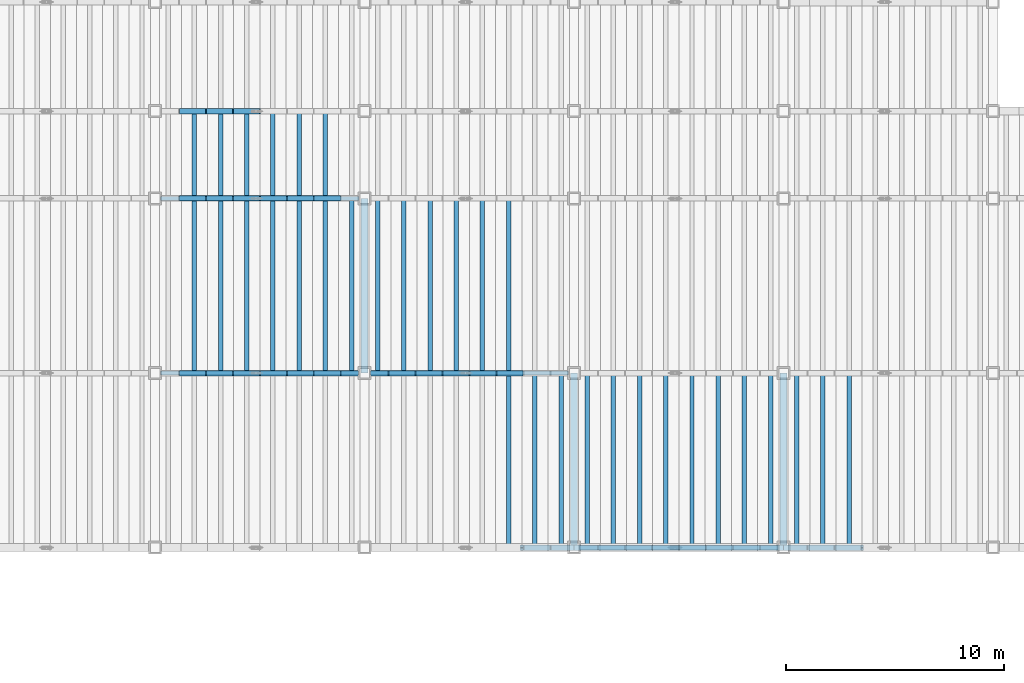
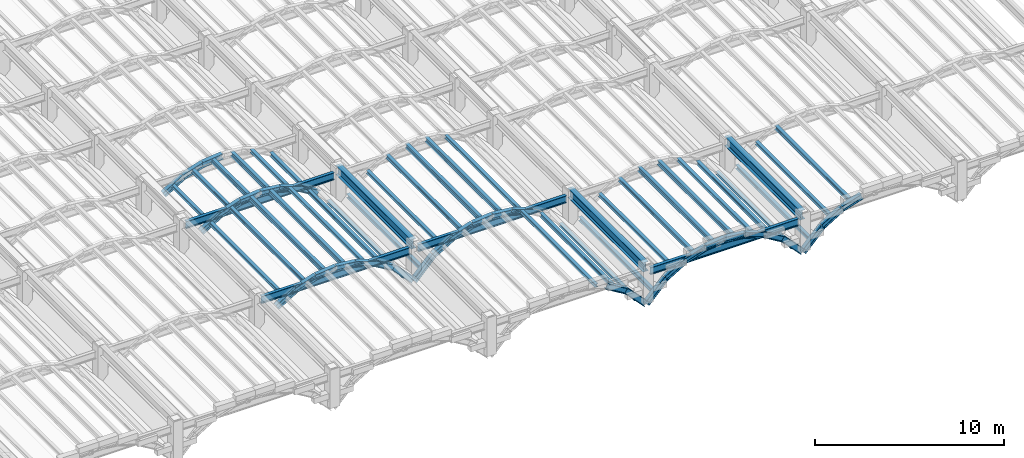
# One storey, part 23 of 70: 68 members, 7 beams.
"""IFC4 building model written with IfcOpenShell, lengths in metres."""

from ifc_helpers import new_model, si_unit, direction, frame, origin, origin_2d, place, context, subcontext, project, spatial, i_section, extrude, material, material_profile, profile_set, type_object, element, save


model = new_model("IFC4")

# Units and contexts
model_context = context("Model", 3, precision=1e-05, world=origin(), true_north=direction((0.0, 1.0)))
body_context = subcontext(model_context, "Body", "Model", "MODEL_VIEW")
ifc_project = project(units=[si_unit("LENGTHUNIT", "METRE"), si_unit("AREAUNIT", "SQUARE_METRE"), si_unit("VOLUMEUNIT", "CUBIC_METRE"), si_unit("PLANEANGLEUNIT", "RADIAN"), si_unit("MASSUNIT", "GRAM", prefix="KILO")], contexts=[model_context])

# Site, building, storey
site_placement = place(None, origin())
site = spatial("IfcSite", under=ifc_project, at=site_placement, CompositionType="ELEMENT")
building_placement = place(site_placement, origin())
building = spatial("IfcBuilding", under=site, at=building_placement, Name="Mavantir Sound Aquarium", CompositionType="ELEMENT")
storey_placement = place(building_placement, frame((0.0, 0.0, 27.0)))
storey = spatial("IfcBuildingStorey", under=building, at=storey_placement, Name="RF", CompositionType="ELEMENT", Elevation=27.0)

# Beams
ifc_material = material(Name="Structural Steel ASTM A992 Gr50", Category="steel")
ifc_material_profile_1 = material_profile(ifc_material, i_section(OverallWidth=0.194091796875, OverallDepth=0.468994140625, WebThickness=0.0126953125, FlangeThickness=0.0205078125, FilletRadius=0.01611328125, at=origin_2d()), Name="W460X106")
ifc_profile_set_1 = profile_set([ifc_material_profile_1], Name="Structural Steel ASTM A992 Gr50")
beam_type_1 = type_object("IfcBeamType", Name="BM-W460X106-I", PredefinedType="BEAM", material=ifc_profile_set_1)
for number, where, z_axis, x_axis, name in (
    (1, (127.449951171875, 48.800048828125, -5.327392578125), (1.0, 0.0, 0.0), (0.0, 1.0, 0.0), "Scalloped bay 3 transverse tie girder 201"),
    (2, (127.449951171875, 56.800048828125, -5.327392578125), (1.0, 0.0, 0.0), (0.0, 1.0, 0.0), "Scalloped bay 3 transverse tie girder 211"),
):
    element("IfcBeam", number, at=place(storey_placement, frame(where, z_axis=z_axis, x_axis=x_axis)), inside=storey, type_object=beam_type_1, Name=name, PredefinedType="BEAM", context=body_context, shape_type="SweptSolid", body=[
        extrude(i_section(OverallWidth=0.194091796875, OverallDepth=0.468994140625, WebThickness=0.0126953125, FlangeThickness=0.0205078125, FilletRadius=0.01611328125, at=origin_2d()), origin(), (0.0, 0.0, 1.0), 9.10009765625),
    ])
beam_1_placement = place(storey_placement, frame((137.050048828125, 48.800048828125, -5.327392578125), z_axis=(1.0, 0.0, 0.0), x_axis=(0.0, 1.0, 0.0)))
element("IfcBeam", 3, at=beam_1_placement, inside=storey, type_object=beam_type_1, Name="Scalloped bay 4 transverse tie girder 281", PredefinedType="BEAM", context=body_context, shape_type="SweptSolid", body=[
    extrude(i_section(OverallWidth=0.194091796875, OverallDepth=0.468994140625, WebThickness=0.0126953125, FlangeThickness=0.0205078125, FilletRadius=0.01611328125, at=origin_2d()), origin(), (0.0, 0.0, 1.0), 9.099853515625),
])
beam_2_placement = place(storey_placement, frame((146.64990234375, 40.800048828125, -5.327392578125), z_axis=(1.0, 0.0, 0.0), x_axis=(0.0, 1.0, 0.0)))
element("IfcBeam", 4, at=beam_2_placement, inside=storey, type_object=beam_type_1, Name="Scalloped bay 5 transverse tie girder 341", PredefinedType="BEAM", context=body_context, shape_type="SweptSolid", body=[
    extrude(i_section(OverallWidth=0.194091796875, OverallDepth=0.468994140625, WebThickness=0.0126953125, FlangeThickness=0.0205078125, FilletRadius=0.01611328125, at=origin_2d()), origin(), (0.0, 0.0, 1.0), 9.10009765625),
])
ifc_material_profile_2 = material_profile(ifc_material, i_section(OverallWidth=0.323974609375, OverallDepth=0.611083984375, WebThickness=0.0126953125, FlangeThickness=0.01904296875, FilletRadius=0.01904296875, at=origin_2d()), Name="W610X155")
ifc_profile_set_2 = profile_set([ifc_material_profile_2], Name="Structural Steel ASTM A992 Gr50")
beam_type_2 = type_object("IfcBeamType", Name="BM-W610X155-E", PredefinedType="BEAM", material=ifc_profile_set_2)
for number, where, z_axis, x_axis, name in (
    (5, (136.800048828125, 48.800048828125, -5.0048828125), (0.0, 1.0, 0.0), (-1.0, 0.0, 0.0), "Scalloped roof straight ridge beam 28"),
    (6, (146.39990234375, 40.800048828125, -5.0048828125), (0.0, 1.0, 0.0), (-1.0, 0.0, 0.0), "Scalloped roof straight ridge beam 34"),
    (7, (156.0, 40.800048828125, -5.0048828125), (0.0, 1.0, 0.0), (-1.0, 0.0, 0.0), "Scalloped roof straight ridge beam 40"),
):
    element("IfcBeam", number, at=place(storey_placement, frame(where, z_axis=z_axis, x_axis=x_axis)), inside=storey, type_object=beam_type_2, Name=name, PredefinedType="BEAM", context=body_context, shape_type="SweptSolid", body=[
        extrude(i_section(OverallWidth=0.323974609375, OverallDepth=0.611083984375, WebThickness=0.0126953125, FlangeThickness=0.01904296875, FilletRadius=0.01904296875, at=origin_2d()), origin(), (0.0, 0.0, 1.0), 8.0),
    ])

# Members
ifc_material_profile_3 = material_profile(ifc_material, i_section(OverallWidth=0.202880859375, OverallDepth=0.202880859375, WebThickness=0.007080078125, FlangeThickness=0.010986328125, FilletRadius=0.010009765625, at=origin_2d()), Name="W200X46")
ifc_profile_set_3 = profile_set([ifc_material_profile_3], Name="Structural Steel ASTM A992 Gr50")
member_type_1 = type_object("IfcMemberType", Name="MEM-TR-W200", PredefinedType="PURLIN", material=ifc_profile_set_3)
for number, where, z_axis, x_axis, name in (
    (8, (129.0, 48.800048828125, -5.77978515625), (0.0, 1.0, 0.0), (-1.0, 0.0, 0.0), "Scalloped bay 3 roof purlin 146"),
    (9, (133.800048828125, 48.800048828125, -5.169921875), (0.0, 1.0, 0.0), (-1.0, 0.0, 0.0), "Scalloped bay 3 roof purlin 150"),
    (10, (136.199951171875, 48.800048828125, -6.881103515625), (0.0, 1.0, 0.0), (-1.0, 0.0, 0.0), "Scalloped bay 3 roof purlin 152"),
):
    element("IfcMember", number, at=place(storey_placement, frame(where, z_axis=z_axis, x_axis=x_axis)), inside=storey, type_object=member_type_1, Name=name, PredefinedType="PURLIN", context=body_context, shape_type="SweptSolid", body=[
        extrude(i_section(OverallWidth=0.202880859375, OverallDepth=0.202880859375, WebThickness=0.007080078125, FlangeThickness=0.010986328125, FilletRadius=0.010009765625, at=origin_2d()), origin(), (0.0, 0.0, 1.0), 8.0),
    ])
for number, where, z_axis, x_axis, name in (
    (11, (129.0, 56.800048828125, -5.77978515625), (0.0, 1.0, 0.0), (-1.0, 0.0, 0.0), "Scalloped bay 3 roof purlin 154"),
    (12, (133.800048828125, 56.800048828125, -5.169921875), (0.0, 1.0, 0.0), (-1.0, 0.0, 0.0), "Scalloped bay 3 roof purlin 158"),
):
    element("IfcMember", number, at=place(storey_placement, frame(where, z_axis=z_axis, x_axis=x_axis)), inside=storey, type_object=member_type_1, Name=name, PredefinedType="PURLIN", context=body_context, shape_type="SweptSolid", body=[
        extrude(i_section(OverallWidth=0.202880859375, OverallDepth=0.202880859375, WebThickness=0.007080078125, FlangeThickness=0.010986328125, FilletRadius=0.010009765625, at=origin_2d()), origin(), (0.0, 0.0, 1.0), 4.0),
    ])
for number, where, z_axis, x_axis, name in (
    (13, (143.39990234375, 40.800048828125, -5.169921875), (0.0, 1.0, 0.0), (-1.0, 0.0, 0.0), "Scalloped bay 4 roof purlin 198"),
    (14, (145.800048828125, 40.800048828125, -6.881103515625), (0.0, 1.0, 0.0), (-1.0, 0.0, 0.0), "Scalloped bay 4 roof purlin 200"),
    (15, (138.60009765625, 48.800048828125, -5.77978515625), (0.0, 1.0, 0.0), (-1.0, 0.0, 0.0), "Scalloped bay 4 roof purlin 202"),
    (16, (143.39990234375, 48.800048828125, -5.169921875), (0.0, 1.0, 0.0), (-1.0, 0.0, 0.0), "Scalloped bay 4 roof purlin 206"),
    (17, (148.199951171875, 40.800048828125, -5.77978515625), (0.0, 1.0, 0.0), (-1.0, 0.0, 0.0), "Scalloped bay 5 roof purlin 242"),
    (18, (153.0, 40.800048828125, -5.169921875), (0.0, 1.0, 0.0), (-1.0, 0.0, 0.0), "Scalloped bay 5 roof purlin 246"),
    (19, (155.39990234375, 40.800048828125, -6.881103515625), (0.0, 1.0, 0.0), (-1.0, 0.0, 0.0), "Scalloped bay 5 roof purlin 248"),
    (20, (157.800048828125, 40.800048828125, -5.77978515625), (0.0, 1.0, 0.0), (-1.0, 0.0, 0.0), "Scalloped bay 6 roof purlin 282"),
):
    element("IfcMember", number, at=place(storey_placement, frame(where, z_axis=z_axis, x_axis=x_axis)), inside=storey, type_object=member_type_1, Name=name, PredefinedType="PURLIN", context=body_context, shape_type="SweptSolid", body=[
        extrude(i_section(OverallWidth=0.202880859375, OverallDepth=0.202880859375, WebThickness=0.007080078125, FlangeThickness=0.010986328125, FilletRadius=0.010009765625, at=origin_2d()), origin(), (0.0, 0.0, 1.0), 8.0),
    ])
ifc_material_profile_4 = material_profile(ifc_material, i_section(OverallWidth=0.202880859375, OverallDepth=0.251953125, WebThickness=0.008056640625, FlangeThickness=0.013427734375, FilletRadius=0.011962890625, at=origin_2d()), Name="W250X58")
ifc_profile_set_4 = profile_set([ifc_material_profile_4], Name="Structural Steel ASTM A992 Gr50")
member_type_2 = type_object("IfcMemberType", Name="MEM-TR-W250", PredefinedType="PURLIN", material=ifc_profile_set_4)
for number, where, z_axis, x_axis, name in (
    (21, (130.199951171875, 48.800048828125, -5.194580078125), (0.0, 1.0, 0.0), (-1.0, 0.0, 0.0), "Scalloped bay 3 roof purlin 147"),
    (22, (135.0, 48.800048828125, -5.804443359375), (0.0, 1.0, 0.0), (-1.0, 0.0, 0.0), "Scalloped bay 3 roof purlin 151"),
):
    element("IfcMember", number, at=place(storey_placement, frame(where, z_axis=z_axis, x_axis=x_axis)), inside=storey, type_object=member_type_2, Name=name, PredefinedType="PURLIN", context=body_context, shape_type="SweptSolid", body=[
        extrude(i_section(OverallWidth=0.202880859375, OverallDepth=0.251953125, WebThickness=0.008056640625, FlangeThickness=0.013427734375, FilletRadius=0.011962890625, at=origin_2d()), origin(), (0.0, 0.0, 1.0), 8.0),
    ])
for number, where, z_axis, x_axis, name in (
    (23, (130.199951171875, 56.800048828125, -5.194580078125), (0.0, 1.0, 0.0), (-1.0, 0.0, 0.0), "Scalloped bay 3 roof purlin 155"),
    (24, (135.0, 56.800048828125, -5.804443359375), (0.0, 1.0, 0.0), (-1.0, 0.0, 0.0), "Scalloped bay 3 roof purlin 159"),
):
    element("IfcMember", number, at=place(storey_placement, frame(where, z_axis=z_axis, x_axis=x_axis)), inside=storey, type_object=member_type_2, Name=name, PredefinedType="PURLIN", context=body_context, shape_type="SweptSolid", body=[
        extrude(i_section(OverallWidth=0.202880859375, OverallDepth=0.251953125, WebThickness=0.008056640625, FlangeThickness=0.013427734375, FilletRadius=0.011962890625, at=origin_2d()), origin(), (0.0, 0.0, 1.0), 4.0),
    ])
for number, where, z_axis, x_axis, name in (
    (25, (144.60009765625, 40.800048828125, -5.804443359375), (0.0, 1.0, 0.0), (-1.0, 0.0, 0.0), "Scalloped bay 4 roof purlin 199"),
    (26, (137.39990234375, 48.800048828125, -6.90576171875), (0.0, 1.0, 0.0), (-1.0, 0.0, 0.0), "Scalloped bay 4 roof purlin 201"),
    (27, (139.800048828125, 48.800048828125, -5.194580078125), (0.0, 1.0, 0.0), (-1.0, 0.0, 0.0), "Scalloped bay 4 roof purlin 203"),
    (28, (147.0, 40.800048828125, -6.90576171875), (0.0, 1.0, 0.0), (-1.0, 0.0, 0.0), "Scalloped bay 5 roof purlin 241"),
    (29, (149.39990234375, 40.800048828125, -5.194580078125), (0.0, 1.0, 0.0), (-1.0, 0.0, 0.0), "Scalloped bay 5 roof purlin 243"),
    (30, (154.199951171875, 40.800048828125, -5.804443359375), (0.0, 1.0, 0.0), (-1.0, 0.0, 0.0), "Scalloped bay 5 roof purlin 247"),
    (31, (156.60009765625, 40.800048828125, -6.90576171875), (0.0, 1.0, 0.0), (-1.0, 0.0, 0.0), "Scalloped bay 6 roof purlin 281"),
    (32, (159.0, 40.800048828125, -5.194580078125), (0.0, 1.0, 0.0), (-1.0, 0.0, 0.0), "Scalloped bay 6 roof purlin 283"),
):
    element("IfcMember", number, at=place(storey_placement, frame(where, z_axis=z_axis, x_axis=x_axis)), inside=storey, type_object=member_type_2, Name=name, PredefinedType="PURLIN", context=body_context, shape_type="SweptSolid", body=[
        extrude(i_section(OverallWidth=0.202880859375, OverallDepth=0.251953125, WebThickness=0.008056640625, FlangeThickness=0.013427734375, FilletRadius=0.011962890625, at=origin_2d()), origin(), (0.0, 0.0, 1.0), 8.0),
    ])
ifc_material_profile_5 = material_profile(ifc_material, i_section(OverallWidth=0.205078125, OverallDepth=0.31005859375, WebThickness=0.009521484375, FlangeThickness=0.016357421875, FilletRadius=0.012939453125, at=origin_2d()), Name="W310X74")
ifc_profile_set_5 = profile_set([ifc_material_profile_5], Name="Structural Steel ASTM A992 Gr50")
member_type_3 = type_object("IfcMemberType", Name="MEM-TR-W310", PredefinedType="RAFTER", material=ifc_profile_set_5)
for number, where, z_axis, x_axis, name in (
    (33, (131.39990234375, 48.800048828125, -4.933837890625), (0.0, 1.0, 0.0), (-1.0, 0.0, 0.0), "Scalloped bay 3 roof purlin 148"),
    (34, (132.60009765625, 48.800048828125, -4.933837890625), (0.0, 1.0, 0.0), (-1.0, 0.0, 0.0), "Scalloped bay 3 roof purlin 149"),
):
    element("IfcMember", number, at=place(storey_placement, frame(where, z_axis=z_axis, x_axis=x_axis)), inside=storey, type_object=member_type_3, Name=name, PredefinedType="RAFTER", context=body_context, shape_type="SweptSolid", body=[
        extrude(i_section(OverallWidth=0.205078125, OverallDepth=0.31005859375, WebThickness=0.009521484375, FlangeThickness=0.016357421875, FilletRadius=0.012939453125, at=origin_2d()), origin(), (0.0, 0.0, 1.0), 8.0),
    ])
for number, where, z_axis, x_axis, name in (
    (35, (131.39990234375, 56.800048828125, -4.933837890625), (0.0, 1.0, 0.0), (-1.0, 0.0, 0.0), "Scalloped bay 3 roof purlin 156"),
    (36, (132.60009765625, 56.800048828125, -4.933837890625), (0.0, 1.0, 0.0), (-1.0, 0.0, 0.0), "Scalloped bay 3 roof purlin 157"),
):
    element("IfcMember", number, at=place(storey_placement, frame(where, z_axis=z_axis, x_axis=x_axis)), inside=storey, type_object=member_type_3, Name=name, PredefinedType="RAFTER", context=body_context, shape_type="SweptSolid", body=[
        extrude(i_section(OverallWidth=0.205078125, OverallDepth=0.31005859375, WebThickness=0.009521484375, FlangeThickness=0.016357421875, FilletRadius=0.012939453125, at=origin_2d()), origin(), (0.0, 0.0, 1.0), 4.0),
    ])
for number, where, z_axis, x_axis, name in (
    (37, (141.0, 48.800048828125, -4.933837890625), (0.0, 1.0, 0.0), (-1.0, 0.0, 0.0), "Scalloped bay 4 roof purlin 204"),
    (38, (142.199951171875, 48.800048828125, -4.933837890625), (0.0, 1.0, 0.0), (-1.0, 0.0, 0.0), "Scalloped bay 4 roof purlin 205"),
    (39, (150.60009765625, 40.800048828125, -4.933837890625), (0.0, 1.0, 0.0), (-1.0, 0.0, 0.0), "Scalloped bay 5 roof purlin 244"),
    (40, (151.800048828125, 40.800048828125, -4.933837890625), (0.0, 1.0, 0.0), (-1.0, 0.0, 0.0), "Scalloped bay 5 roof purlin 245"),
):
    element("IfcMember", number, at=place(storey_placement, frame(where, z_axis=z_axis, x_axis=x_axis)), inside=storey, type_object=member_type_3, Name=name, PredefinedType="RAFTER", context=body_context, shape_type="SweptSolid", body=[
        extrude(i_section(OverallWidth=0.205078125, OverallDepth=0.31005859375, WebThickness=0.009521484375, FlangeThickness=0.016357421875, FilletRadius=0.012939453125, at=origin_2d()), origin(), (0.0, 0.0, 1.0), 8.0),
    ])
ifc_material_profile_6 = material_profile(ifc_material, i_section(OverallWidth=0.25390625, OverallDepth=0.35302734375, WebThickness=0.009521484375, FlangeThickness=0.016357421875, FilletRadius=0.014892578125, at=origin_2d()), Name="W360X91")
ifc_profile_set_6 = profile_set([ifc_material_profile_6], Name="Structural Steel ASTM A992 Gr50")
member_type_4 = type_object("IfcMemberType", Name="MEM-TR-W360", PredefinedType="RAFTER", material=ifc_profile_set_6)
member_1_placement = place(storey_placement, frame((128.39990234375, 48.800048828125, -6.11328125), z_axis=(0.856692316174, 0.0, 0.515827757501), x_axis=(0.0, 1.0, 0.0)))
element("IfcMember", 41, at=member_1_placement, inside=storey, type_object=member_type_4, Name="Scalloped bay 3 sagging-arc trough rib 203", PredefinedType="RAFTER", context=body_context, shape_type="SweptSolid", body=[
    extrude(i_section(OverallWidth=0.25390625, OverallDepth=0.35302734375, WebThickness=0.009521484375, FlangeThickness=0.016357421875, FilletRadius=0.014892578125, at=origin_2d()), origin(), (0.0, 0.0, 1.0), 1.40087890625),
])
member_2_placement = place(storey_placement, frame((129.60009765625, 48.800048828125, -5.390625), z_axis=(0.951055396379, 0.0, 0.309020441102), x_axis=(0.0, 1.0, 0.0)))
element("IfcMember", 42, at=member_2_placement, inside=storey, type_object=member_type_4, Name="Scalloped bay 3 sagging-arc trough rib 204", PredefinedType="RAFTER", context=body_context, shape_type="SweptSolid", body=[
    extrude(i_section(OverallWidth=0.25390625, OverallDepth=0.35302734375, WebThickness=0.009521484375, FlangeThickness=0.016357421875, FilletRadius=0.014892578125, at=origin_2d()), origin(), (0.0, 0.0, 1.0), 1.26171875),
])
for number, where, z_axis, x_axis, name in (
    (43, (130.800048828125, 48.800048828125, -5.000732421875), (0.994680359373, 0.0, 0.103009624196), (0.0, 1.0, 0.0), "Scalloped bay 3 sagging-arc trough rib 205"),
    (44, (132.0, 48.800048828125, -4.87646484375), (0.994680359373, 0.0, -0.103009624196), (0.0, 1.0, 0.0), "Scalloped bay 3 sagging-arc trough rib 206"),
):
    element("IfcMember", number, at=place(storey_placement, frame(where, z_axis=z_axis, x_axis=x_axis)), inside=storey, type_object=member_type_4, Name=name, PredefinedType="RAFTER", context=body_context, shape_type="SweptSolid", body=[
        extrude(i_section(OverallWidth=0.25390625, OverallDepth=0.35302734375, WebThickness=0.009521484375, FlangeThickness=0.016357421875, FilletRadius=0.014892578125, at=origin_2d()), origin(), (0.0, 0.0, 1.0), 1.206298828125),
    ])
member_3_placement = place(storey_placement, frame((133.199951171875, 48.800048828125, -5.000732421875), z_axis=(0.951055396379, 0.0, -0.309020441102), x_axis=(0.0, 1.0, 0.0)))
element("IfcMember", 45, at=member_3_placement, inside=storey, type_object=member_type_4, Name="Scalloped bay 3 sagging-arc trough rib 208", PredefinedType="RAFTER", context=body_context, shape_type="SweptSolid", body=[
    extrude(i_section(OverallWidth=0.25390625, OverallDepth=0.35302734375, WebThickness=0.009521484375, FlangeThickness=0.016357421875, FilletRadius=0.014892578125, at=origin_2d()), origin(), (0.0, 0.0, 1.0), 1.26171875),
])
member_4_placement = place(storey_placement, frame((134.39990234375, 48.800048828125, -5.390625), z_axis=(0.856692316174, 0.0, -0.515827757501), x_axis=(0.0, 1.0, 0.0)))
element("IfcMember", 46, at=member_4_placement, inside=storey, type_object=member_type_4, Name="Scalloped bay 3 sagging-arc trough rib 209", PredefinedType="RAFTER", context=body_context, shape_type="SweptSolid", body=[
    extrude(i_section(OverallWidth=0.25390625, OverallDepth=0.35302734375, WebThickness=0.009521484375, FlangeThickness=0.016357421875, FilletRadius=0.014892578125, at=origin_2d()), origin(), (0.0, 0.0, 1.0), 1.40087890625),
])
member_5_placement = place(storey_placement, frame((135.60009765625, 48.800048828125, -6.11328125), z_axis=(0.688727365252, 0.0, -0.725020424784), x_axis=(0.0, 1.0, 0.0)))
element("IfcMember", 47, at=member_5_placement, inside=storey, type_object=member_type_4, Name="Scalloped bay 3 sagging-arc trough rib 210", PredefinedType="RAFTER", context=body_context, shape_type="SweptSolid", body=[
    extrude(i_section(OverallWidth=0.25390625, OverallDepth=0.35302734375, WebThickness=0.009521484375, FlangeThickness=0.016357421875, FilletRadius=0.014892578125, at=origin_2d()), origin(), (0.0, 0.0, 1.0), 1.7421875),
])
member_6_placement = place(storey_placement, frame((128.39990234375, 56.800048828125, -6.11328125), z_axis=(0.856692316174, 0.0, 0.515827757501), x_axis=(0.0, 1.0, 0.0)))
element("IfcMember", 48, at=member_6_placement, inside=storey, type_object=member_type_4, Name="Scalloped bay 3 sagging-arc trough rib 213", PredefinedType="RAFTER", context=body_context, shape_type="SweptSolid", body=[
    extrude(i_section(OverallWidth=0.25390625, OverallDepth=0.35302734375, WebThickness=0.009521484375, FlangeThickness=0.016357421875, FilletRadius=0.014892578125, at=origin_2d()), origin(), (0.0, 0.0, 1.0), 1.40087890625),
])
member_7_placement = place(storey_placement, frame((129.60009765625, 56.800048828125, -5.390625), z_axis=(0.951055396379, 0.0, 0.309020441102), x_axis=(0.0, 1.0, 0.0)))
element("IfcMember", 49, at=member_7_placement, inside=storey, type_object=member_type_4, Name="Scalloped bay 3 sagging-arc trough rib 214", PredefinedType="RAFTER", context=body_context, shape_type="SweptSolid", body=[
    extrude(i_section(OverallWidth=0.25390625, OverallDepth=0.35302734375, WebThickness=0.009521484375, FlangeThickness=0.016357421875, FilletRadius=0.014892578125, at=origin_2d()), origin(), (0.0, 0.0, 1.0), 1.26171875),
])
for number, where, z_axis, x_axis, name in (
    (50, (130.800048828125, 56.800048828125, -5.000732421875), (0.994680359373, 0.0, 0.103009624196), (0.0, 1.0, 0.0), "Scalloped bay 3 sagging-arc trough rib 215"),
    (51, (132.0, 56.800048828125, -4.87646484375), (0.994680359373, 0.0, -0.103009624196), (0.0, 1.0, 0.0), "Scalloped bay 3 sagging-arc trough rib 216"),
):
    element("IfcMember", number, at=place(storey_placement, frame(where, z_axis=z_axis, x_axis=x_axis)), inside=storey, type_object=member_type_4, Name=name, PredefinedType="RAFTER", context=body_context, shape_type="SweptSolid", body=[
        extrude(i_section(OverallWidth=0.25390625, OverallDepth=0.35302734375, WebThickness=0.009521484375, FlangeThickness=0.016357421875, FilletRadius=0.014892578125, at=origin_2d()), origin(), (0.0, 0.0, 1.0), 1.206298828125),
    ])
member_8_placement = place(storey_placement, frame((133.199951171875, 56.800048828125, -5.000732421875), z_axis=(0.951055396379, 0.0, -0.309020441102), x_axis=(0.0, 1.0, 0.0)))
element("IfcMember", 52, at=member_8_placement, inside=storey, type_object=member_type_4, Name="Scalloped bay 3 sagging-arc trough rib 218", PredefinedType="RAFTER", context=body_context, shape_type="SweptSolid", body=[
    extrude(i_section(OverallWidth=0.25390625, OverallDepth=0.35302734375, WebThickness=0.009521484375, FlangeThickness=0.016357421875, FilletRadius=0.014892578125, at=origin_2d()), origin(), (0.0, 0.0, 1.0), 1.26171875),
])
for number, where, z_axis, x_axis, name in (
    (53, (134.39990234375, 56.800048828125, -5.390625), (0.856692316174, 0.0, -0.515827757501), (0.0, 1.0, 0.0), "Scalloped bay 3 sagging-arc trough rib 219"),
    (54, (128.39990234375, 60.800048828125, -6.11328125), (0.856692316174, 0.0, 0.515827757501), (0.0, 1.0, 0.0), "Scalloped bay 3 sagging-arc trough rib 223"),
):
    element("IfcMember", number, at=place(storey_placement, frame(where, z_axis=z_axis, x_axis=x_axis)), inside=storey, type_object=member_type_4, Name=name, PredefinedType="RAFTER", context=body_context, shape_type="SweptSolid", body=[
        extrude(i_section(OverallWidth=0.25390625, OverallDepth=0.35302734375, WebThickness=0.009521484375, FlangeThickness=0.016357421875, FilletRadius=0.014892578125, at=origin_2d()), origin(), (0.0, 0.0, 1.0), 1.40087890625),
    ])
member_9_placement = place(storey_placement, frame((129.60009765625, 60.800048828125, -5.390625), z_axis=(0.951055396379, 0.0, 0.309020441102), x_axis=(0.0, 1.0, 0.0)))
element("IfcMember", 55, at=member_9_placement, inside=storey, type_object=member_type_4, Name="Scalloped bay 3 sagging-arc trough rib 224", PredefinedType="RAFTER", context=body_context, shape_type="SweptSolid", body=[
    extrude(i_section(OverallWidth=0.25390625, OverallDepth=0.35302734375, WebThickness=0.009521484375, FlangeThickness=0.016357421875, FilletRadius=0.014892578125, at=origin_2d()), origin(), (0.0, 0.0, 1.0), 1.26171875),
])
member_10_placement = place(storey_placement, frame((130.800048828125, 60.800048828125, -5.000732421875), z_axis=(0.994680359373, 0.0, 0.103009624196), x_axis=(0.0, 1.0, 0.0)))
element("IfcMember", 56, at=member_10_placement, inside=storey, type_object=member_type_4, Name="Scalloped bay 3 sagging-arc trough rib 225", PredefinedType="RAFTER", context=body_context, shape_type="SweptSolid", body=[
    extrude(i_section(OverallWidth=0.25390625, OverallDepth=0.35302734375, WebThickness=0.009521484375, FlangeThickness=0.016357421875, FilletRadius=0.014892578125, at=origin_2d()), origin(), (0.0, 0.0, 1.0), 1.206298828125),
])
member_11_placement = place(storey_placement, frame((144.0, 40.800048828125, -5.390625), z_axis=(0.856645937356, 0.0, -0.515904776109), x_axis=(0.0, 1.0, 0.0)))
element("IfcMember", 57, at=member_11_placement, inside=storey, type_object=member_type_4, Name="Scalloped bay 4 sagging-arc trough rib 279", PredefinedType="RAFTER", context=body_context, shape_type="SweptSolid", body=[
    extrude(i_section(OverallWidth=0.25390625, OverallDepth=0.35302734375, WebThickness=0.009521484375, FlangeThickness=0.016357421875, FilletRadius=0.014892578125, at=origin_2d()), origin(), (0.0, 0.0, 1.0), 1.400634765625),
])
for number, where, z_axis, x_axis, name in (
    (58, (145.199951171875, 40.800048828125, -6.11328125), (0.688727365252, 0.0, -0.725020424784), (0.0, 1.0, 0.0), "Scalloped bay 4 sagging-arc trough rib 280"),
    (59, (136.800048828125, 48.800048828125, -7.37646484375), (0.688727365252, 0.0, 0.725020424784), (0.0, 1.0, 0.0), "Scalloped bay 4 sagging-arc trough rib 282"),
):
    element("IfcMember", number, at=place(storey_placement, frame(where, z_axis=z_axis, x_axis=x_axis)), inside=storey, type_object=member_type_4, Name=name, PredefinedType="RAFTER", context=body_context, shape_type="SweptSolid", body=[
        extrude(i_section(OverallWidth=0.25390625, OverallDepth=0.35302734375, WebThickness=0.009521484375, FlangeThickness=0.016357421875, FilletRadius=0.014892578125, at=origin_2d()), origin(), (0.0, 0.0, 1.0), 1.7421875),
    ])
member_12_placement = place(storey_placement, frame((138.0, 48.800048828125, -6.11328125), z_axis=(0.856645937356, 0.0, 0.515904776109), x_axis=(0.0, 1.0, 0.0)))
element("IfcMember", 60, at=member_12_placement, inside=storey, type_object=member_type_4, Name="Scalloped bay 4 sagging-arc trough rib 283", PredefinedType="RAFTER", context=body_context, shape_type="SweptSolid", body=[
    extrude(i_section(OverallWidth=0.25390625, OverallDepth=0.35302734375, WebThickness=0.009521484375, FlangeThickness=0.016357421875, FilletRadius=0.014892578125, at=origin_2d()), origin(), (0.0, 0.0, 1.0), 1.400634765625),
])
member_13_placement = place(storey_placement, frame((139.199951171875, 48.800048828125, -5.390625), z_axis=(0.951055396379, 0.0, 0.309020441102), x_axis=(0.0, 1.0, 0.0)))
element("IfcMember", 61, at=member_13_placement, inside=storey, type_object=member_type_4, Name="Scalloped bay 4 sagging-arc trough rib 284", PredefinedType="RAFTER", context=body_context, shape_type="SweptSolid", body=[
    extrude(i_section(OverallWidth=0.25390625, OverallDepth=0.35302734375, WebThickness=0.009521484375, FlangeThickness=0.016357421875, FilletRadius=0.014892578125, at=origin_2d()), origin(), (0.0, 0.0, 1.0), 1.26171875),
])
member_14_placement = place(storey_placement, frame((140.39990234375, 48.800048828125, -5.000732421875), z_axis=(0.994682506138, 0.0, 0.102988892519), x_axis=(0.0, 1.0, 0.0)))
element("IfcMember", 62, at=member_14_placement, inside=storey, type_object=member_type_4, Name="Scalloped bay 4 sagging-arc trough rib 285", PredefinedType="RAFTER", context=body_context, shape_type="SweptSolid", body=[
    extrude(i_section(OverallWidth=0.25390625, OverallDepth=0.35302734375, WebThickness=0.009521484375, FlangeThickness=0.016357421875, FilletRadius=0.014892578125, at=origin_2d()), origin(), (0.0, 0.0, 1.0), 1.20654296875),
])
member_15_placement = place(storey_placement, frame((141.60009765625, 48.800048828125, -4.87646484375), z_axis=(0.994680359373, 0.0, -0.103009624196), x_axis=(0.0, 1.0, 0.0)))
element("IfcMember", 63, at=member_15_placement, inside=storey, type_object=member_type_4, Name="Scalloped bay 4 sagging-arc trough rib 286", PredefinedType="RAFTER", context=body_context, shape_type="SweptSolid", body=[
    extrude(i_section(OverallWidth=0.25390625, OverallDepth=0.35302734375, WebThickness=0.009521484375, FlangeThickness=0.016357421875, FilletRadius=0.014892578125, at=origin_2d()), origin(), (0.0, 0.0, 1.0), 1.206298828125),
])
member_16_placement = place(storey_placement, frame((142.800048828125, 48.800048828125, -5.000732421875), z_axis=(0.951055396379, 0.0, -0.309020441102), x_axis=(0.0, 1.0, 0.0)))
element("IfcMember", 64, at=member_16_placement, inside=storey, type_object=member_type_4, Name="Scalloped bay 4 sagging-arc trough rib 288", PredefinedType="RAFTER", context=body_context, shape_type="SweptSolid", body=[
    extrude(i_section(OverallWidth=0.25390625, OverallDepth=0.35302734375, WebThickness=0.009521484375, FlangeThickness=0.016357421875, FilletRadius=0.014892578125, at=origin_2d()), origin(), (0.0, 0.0, 1.0), 1.26171875),
])
member_17_placement = place(storey_placement, frame((146.39990234375, 40.800048828125, -7.37646484375), z_axis=(0.688801013332, 0.0, 0.724950456261), x_axis=(0.0, 1.0, 0.0)))
element("IfcMember", 65, at=member_17_placement, inside=storey, type_object=member_type_4, Name="Scalloped bay 5 sagging-arc trough rib 342", PredefinedType="RAFTER", context=body_context, shape_type="SweptSolid", body=[
    extrude(i_section(OverallWidth=0.25390625, OverallDepth=0.35302734375, WebThickness=0.009521484375, FlangeThickness=0.016357421875, FilletRadius=0.014892578125, at=origin_2d()), origin(), (0.0, 0.0, 1.0), 1.742431640625),
])
member_18_placement = place(storey_placement, frame((147.60009765625, 40.800048828125, -6.11328125), z_axis=(0.856645937356, 0.0, 0.515904776109), x_axis=(0.0, 1.0, 0.0)))
element("IfcMember", 66, at=member_18_placement, inside=storey, type_object=member_type_4, Name="Scalloped bay 5 sagging-arc trough rib 343", PredefinedType="RAFTER", context=body_context, shape_type="SweptSolid", body=[
    extrude(i_section(OverallWidth=0.25390625, OverallDepth=0.35302734375, WebThickness=0.009521484375, FlangeThickness=0.016357421875, FilletRadius=0.014892578125, at=origin_2d()), origin(), (0.0, 0.0, 1.0), 1.400634765625),
])
member_19_placement = place(storey_placement, frame((148.800048828125, 40.800048828125, -5.390625), z_axis=(0.951055396379, 0.0, 0.309020441102), x_axis=(0.0, 1.0, 0.0)))
element("IfcMember", 67, at=member_19_placement, inside=storey, type_object=member_type_4, Name="Scalloped bay 5 sagging-arc trough rib 344", PredefinedType="RAFTER", context=body_context, shape_type="SweptSolid", body=[
    extrude(i_section(OverallWidth=0.25390625, OverallDepth=0.35302734375, WebThickness=0.009521484375, FlangeThickness=0.016357421875, FilletRadius=0.014892578125, at=origin_2d()), origin(), (0.0, 0.0, 1.0), 1.26171875),
])
for number, where, z_axis, x_axis, name in (
    (68, (150.0, 40.800048828125, -5.000732421875), (0.994680359373, 0.0, 0.103009624196), (0.0, 1.0, 0.0), "Scalloped bay 5 sagging-arc trough rib 345"),
    (69, (151.199951171875, 40.800048828125, -4.87646484375), (0.994680359373, 0.0, -0.103009624196), (0.0, 1.0, 0.0), "Scalloped bay 5 sagging-arc trough rib 346"),
):
    element("IfcMember", number, at=place(storey_placement, frame(where, z_axis=z_axis, x_axis=x_axis)), inside=storey, type_object=member_type_4, Name=name, PredefinedType="RAFTER", context=body_context, shape_type="SweptSolid", body=[
        extrude(i_section(OverallWidth=0.25390625, OverallDepth=0.35302734375, WebThickness=0.009521484375, FlangeThickness=0.016357421875, FilletRadius=0.014892578125, at=origin_2d()), origin(), (0.0, 0.0, 1.0), 1.206298828125),
    ])
member_20_placement = place(storey_placement, frame((152.39990234375, 40.800048828125, -5.000732421875), z_axis=(0.951073869353, 0.0, -0.30896358205), x_axis=(0.0, 1.0, 0.0)))
element("IfcMember", 70, at=member_20_placement, inside=storey, type_object=member_type_4, Name="Scalloped bay 5 sagging-arc trough rib 348", PredefinedType="RAFTER", context=body_context, shape_type="SweptSolid", body=[
    extrude(i_section(OverallWidth=0.25390625, OverallDepth=0.35302734375, WebThickness=0.009521484375, FlangeThickness=0.016357421875, FilletRadius=0.014892578125, at=origin_2d()), origin(), (0.0, 0.0, 1.0), 1.261962890625),
])
member_21_placement = place(storey_placement, frame((153.60009765625, 40.800048828125, -5.390625), z_axis=(0.856645937356, 0.0, -0.515904776109), x_axis=(0.0, 1.0, 0.0)))
element("IfcMember", 71, at=member_21_placement, inside=storey, type_object=member_type_4, Name="Scalloped bay 5 sagging-arc trough rib 349", PredefinedType="RAFTER", context=body_context, shape_type="SweptSolid", body=[
    extrude(i_section(OverallWidth=0.25390625, OverallDepth=0.35302734375, WebThickness=0.009521484375, FlangeThickness=0.016357421875, FilletRadius=0.014892578125, at=origin_2d()), origin(), (0.0, 0.0, 1.0), 1.400634765625),
])
for number, where, z_axis, x_axis, name in (
    (72, (154.800048828125, 40.800048828125, -6.11328125), (0.688727365252, 0.0, -0.725020424784), (0.0, 1.0, 0.0), "Scalloped bay 5 sagging-arc trough rib 350"),
    (73, (156.0, 40.800048828125, -7.37646484375), (0.688727365252, 0.0, 0.725020424784), (0.0, 1.0, 0.0), "Scalloped bay 6 sagging-arc trough rib 402"),
):
    element("IfcMember", number, at=place(storey_placement, frame(where, z_axis=z_axis, x_axis=x_axis)), inside=storey, type_object=member_type_4, Name=name, PredefinedType="RAFTER", context=body_context, shape_type="SweptSolid", body=[
        extrude(i_section(OverallWidth=0.25390625, OverallDepth=0.35302734375, WebThickness=0.009521484375, FlangeThickness=0.016357421875, FilletRadius=0.014892578125, at=origin_2d()), origin(), (0.0, 0.0, 1.0), 1.7421875),
    ])
member_22_placement = place(storey_placement, frame((157.199951171875, 40.800048828125, -6.11328125), z_axis=(0.856645937356, 0.0, 0.515904776109), x_axis=(0.0, 1.0, 0.0)))
element("IfcMember", 74, at=member_22_placement, inside=storey, type_object=member_type_4, Name="Scalloped bay 6 sagging-arc trough rib 403", PredefinedType="RAFTER", context=body_context, shape_type="SweptSolid", body=[
    extrude(i_section(OverallWidth=0.25390625, OverallDepth=0.35302734375, WebThickness=0.009521484375, FlangeThickness=0.016357421875, FilletRadius=0.014892578125, at=origin_2d()), origin(), (0.0, 0.0, 1.0), 1.400634765625),
])
member_23_placement = place(storey_placement, frame((158.39990234375, 40.800048828125, -5.390625), z_axis=(0.951073869353, 0.0, 0.30896358205), x_axis=(0.0, 1.0, 0.0)))
element("IfcMember", 75, at=member_23_placement, inside=storey, type_object=member_type_4, Name="Scalloped bay 6 sagging-arc trough rib 404", PredefinedType="RAFTER", context=body_context, shape_type="SweptSolid", body=[
    extrude(i_section(OverallWidth=0.25390625, OverallDepth=0.35302734375, WebThickness=0.009521484375, FlangeThickness=0.016357421875, FilletRadius=0.014892578125, at=origin_2d()), origin(), (0.0, 0.0, 1.0), 1.261962890625),
])

save(model, "model.ifc")
